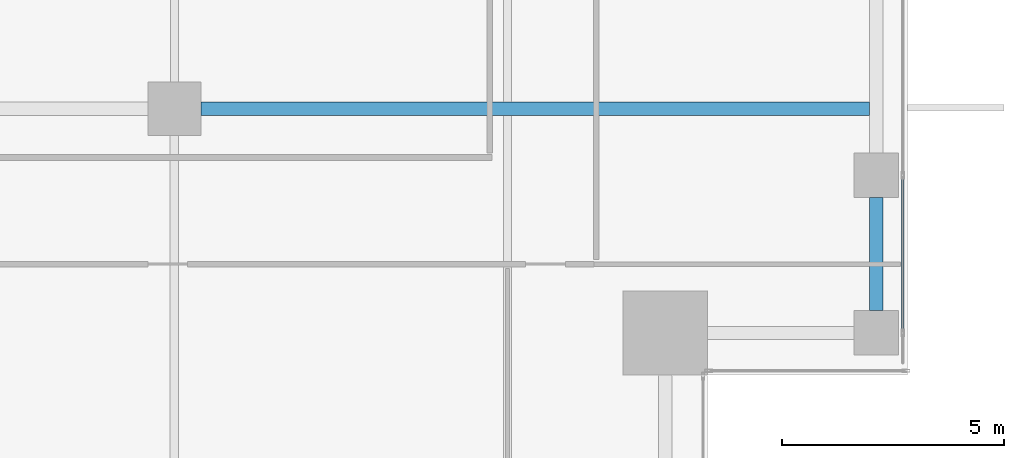
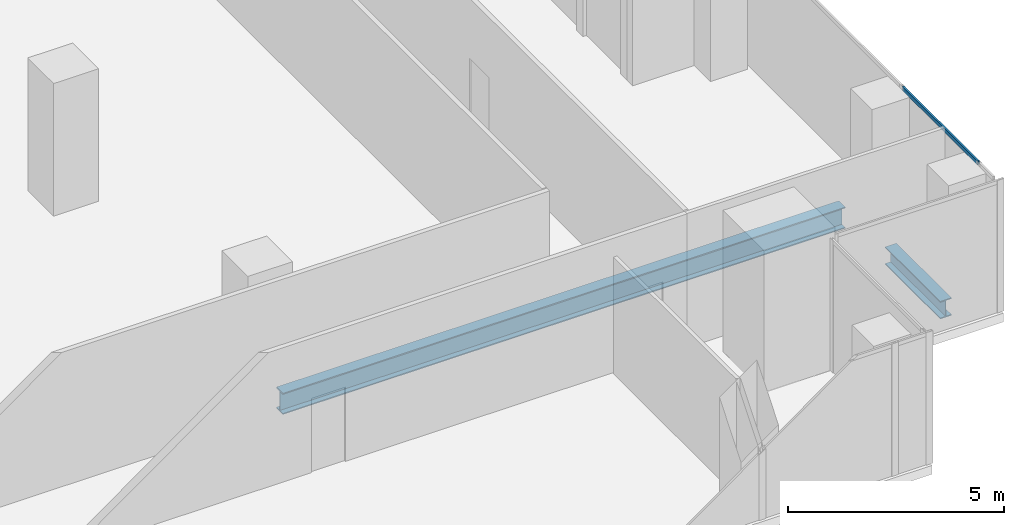
# One storey, part 11 of 40: 2 beams, 1 member, 1 element without a shape of its own.
"""IFC4 building model written with IfcOpenShell, lengths in metres."""

from ifc_helpers import new_model, si_unit, direction, frame, origin, origin_2d, place, context, subcontext, project, spatial, hollow_rectangle, i_section, extrude, source, transform, mapped, material, material_profile, profile_set, type_object, element, aggregate, save


model = new_model("IFC4")

# Units and contexts
model_context = context("Model", 3, precision=1e-05, world=origin(), true_north=direction((0.0, 1.0)))
body_context = subcontext(model_context, "Body", "Model", "MODEL_VIEW")
ifc_project = project(units=[si_unit("LENGTHUNIT", "METRE"), si_unit("AREAUNIT", "SQUARE_METRE"), si_unit("VOLUMEUNIT", "CUBIC_METRE"), si_unit("PLANEANGLEUNIT", "RADIAN"), si_unit("MASSUNIT", "GRAM", prefix="KILO")], contexts=[model_context])

# Site, building, storey
site_placement = place(None, origin())
site = spatial("IfcSite", under=ifc_project, at=site_placement, CompositionType="ELEMENT")
building_placement = place(site_placement, origin())
building = spatial("IfcBuilding", under=site, at=building_placement, Name="Khomas Fold Tower", CompositionType="ELEMENT")
storey_placement = place(building_placement, frame((0.0, 0.0, 204.699951171875)))
storey = spatial("IfcBuildingStorey", under=building, at=storey_placement, Name="L45", CompositionType="ELEMENT", Elevation=204.699951171875)

# Beams
ifc_material_1 = material(Name="Steel S355", Category="steel")
ifc_material_profile_1 = material_profile(ifc_material_1, i_section(OverallWidth=0.300048828125, OverallDepth=0.5, WebThickness=0.014404296875, FlangeThickness=0.028076171875, at=origin_2d()), Name="HE 500 B")
ifc_profile_set_1 = profile_set([ifc_material_profile_1], Name="Steel S355")
beam_type_1 = type_object("IfcBeamType", Name="HE 500 B spandrel SB3", PredefinedType="SPANDREL", material=ifc_profile_set_1)
shared_shape_1 = source(origin(), body_context, "Body", "SweptSolid", [
    extrude(i_section(OverallWidth=0.300048828125, OverallDepth=0.5, WebThickness=0.014404296875, FlangeThickness=0.028076171875, at=origin_2d()), origin(), (0.0, 0.0, 1.0), 2.550048828125),
])
beam_1_placement = place(storey_placement, frame((50.300048828125, 8.949951171875, -0.5), z_axis=(0.0, 1.0, 0.0), x_axis=(-1.0, 0.0, 0.0)))
element("IfcBeam", 1, at=beam_1_placement, inside=storey, type_object=beam_type_1, Name="SB3", PredefinedType="SPANDREL", context=body_context, shape_type="MappedRepresentation", body=[
    mapped(shared_shape_1, transform((0.0, 0.0, 0.0))),
])
ifc_material_2 = material(Name="Steel S355", Category="steel")
ifc_material_profile_2 = material_profile(ifc_material_2, i_section(OverallWidth=0.300048828125, OverallDepth=0.60009765625, WebThickness=0.015380859375, FlangeThickness=0.030029296875, at=origin_2d()), Name="HE 600 B")
ifc_profile_set_2 = profile_set([ifc_material_profile_2], Name="Steel S355")
beam_type_2 = type_object("IfcBeamType", Name="HE 600 B beam GB5", PredefinedType="BEAM", material=ifc_profile_set_2)
shared_shape_2 = source(origin(), body_context, "Body", "SweptSolid", [
    extrude(i_section(OverallWidth=0.300048828125, OverallDepth=0.60009765625, WebThickness=0.015380859375, FlangeThickness=0.030029296875, at=origin_2d()), origin(), (0.0, 0.0, 1.0), 15.0498046875),
])
beam_2_placement = place(storey_placement, frame((35.10009765625, 13.5, -0.550048828125), z_axis=(1.0, 0.0, 0.0), x_axis=(0.0, 1.0, 0.0)))
element("IfcBeam", 2, at=beam_2_placement, inside=storey, type_object=beam_type_2, Name="GB5", PredefinedType="BEAM", context=body_context, shape_type="MappedRepresentation", body=[
    mapped(shared_shape_2, transform((0.0, 0.0, 0.0))),
])

# Curtain wall, member
ifc_material_3 = material(Name="Aluminium framed double glazing", Category="aluminium")
curtain_wall_type = type_object("IfcCurtainWallType", Name="SK-Unitised clear-glass wall, office floors CW2", PredefinedType="NOTDEFINED", material=ifc_material_3)
curtain_wall_placement = place(storey_placement, origin())
curtain_wall = element("IfcCurtainWall", 3, at=curtain_wall_placement, inside=storey, type_object=curtain_wall_type, Name="CW2 run L45 03-0", PredefinedType="NOTDEFINED")
ifc_material_4 = material(Name="Aluminium", Category="aluminium")
ifc_material_profile_3 = material_profile(ifc_material_4, hollow_rectangle(XDim=0.050048828125, YDim=0.110107421875, WallThickness=0.00390625, at=origin_2d()), Name="SK-Unitised clear-glass wall, office floors transom CW2-T")
ifc_profile_set_3 = profile_set([ifc_material_profile_3], Name="Aluminium")
member_type = type_object("IfcMemberType", Name="SK-Unitised clear-glass wall, office floors transom CW2-T", PredefinedType="USERDEFINED", material=ifc_profile_set_3)
shared_shape_3 = source(origin(), body_context, "Body", "SweptSolid", [
    extrude(hollow_rectangle(XDim=0.050048828125, YDim=0.110107421875, WallThickness=0.00390625, at=origin_2d()), origin(), (0.0, 0.0, 1.0), 3.489990234375),
])
member_placement = place(storey_placement, frame((50.89990234375, 8.47998046875, 3.695068359375), z_axis=(0.0, 1.0, 0.0), x_axis=(-1.0, 0.0, 0.0)))
member = element("IfcMember", 4, at=member_placement, type_object=member_type, Name="CW2 transom 2", ObjectType="TRANSOM", PredefinedType="USERDEFINED", context=body_context, shape_type="MappedRepresentation", body=[
    mapped(shared_shape_3, transform((0.0, 0.0, 0.0))),
])
aggregate(curtain_wall, [member])

save(model, "model.ifc")
